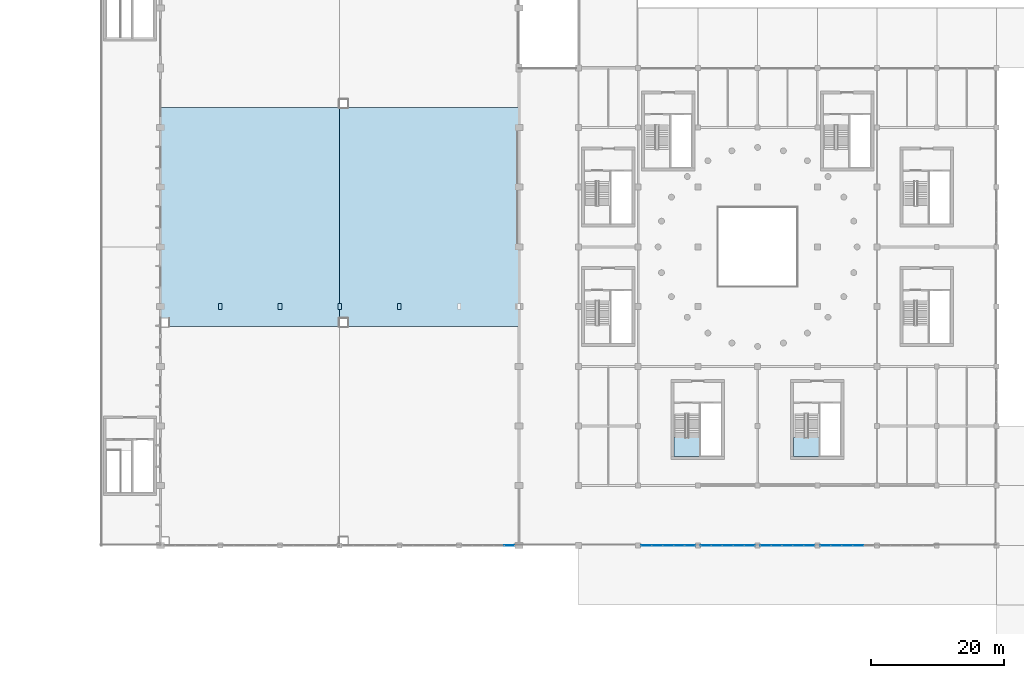
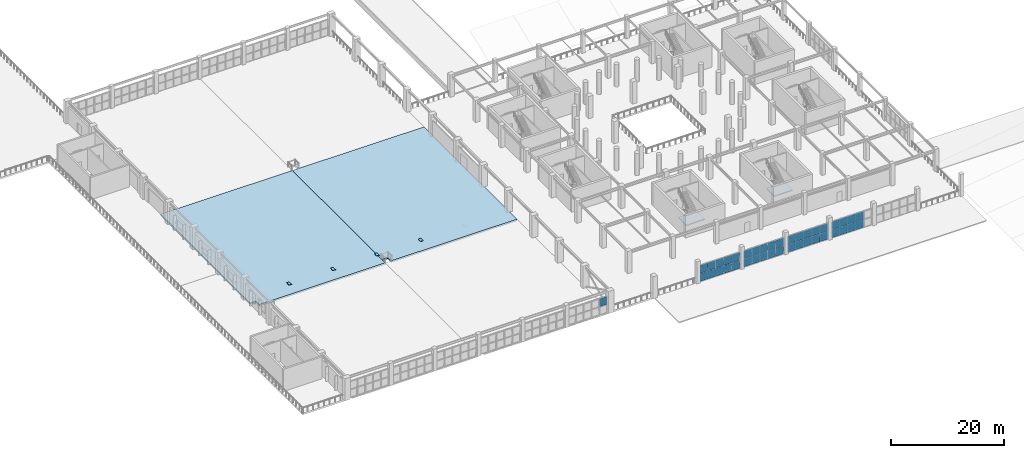
# One storey, part 52 of 89: 43 plates, 4 slabs, 7 elements without a shape of their own.
"""IFC4 building model written with IfcOpenShell, lengths in metres."""

from ifc_helpers import new_model, si_unit, direction, frame, origin, origin_2d, place, context, subcontext, project, spatial, polyline, rectangle, outline, extrude, material, layer, layer_set, type_object, element, aggregate, save


model = new_model("IFC4")

# Units and contexts
model_context = context("Model", 3, precision=1e-05, world=origin(), true_north=direction((0.0, 1.0)))
body_context = subcontext(model_context, "Body", "Model", "MODEL_VIEW")
ifc_project = project(units=[si_unit("LENGTHUNIT", "METRE"), si_unit("AREAUNIT", "SQUARE_METRE"), si_unit("VOLUMEUNIT", "CUBIC_METRE"), si_unit("PLANEANGLEUNIT", "RADIAN"), si_unit("MASSUNIT", "GRAM", prefix="KILO")], contexts=[model_context])

# Site, building, storey
site_placement = place(None, origin())
site = spatial("IfcSite", under=ifc_project, at=site_placement, CompositionType="ELEMENT")
building_placement = place(site_placement, origin())
building = spatial("IfcBuilding", under=site, at=building_placement, Name="Dornveld Trade and Exhibition Forum", CompositionType="ELEMENT")
storey_placement = place(building_placement, frame((0.0, 0.0, 12.0)))
storey = spatial("IfcBuildingStorey", under=building, at=storey_placement, Name="L02", CompositionType="ELEMENT", Elevation=12.0)

# Curtain wall, plates
ifc_material_1 = material(Name="Dark-bronze anodised aluminium and low-E glass", Category="aluminium")
ifc_layer_1 = layer(ifc_material_1, 0.180908203125)
ifc_layer_set_1 = layer_set([ifc_layer_1], Name="Dark-bronze anodised aluminium and low-E glass")
curtain_wall_type_1 = type_object("IfcCurtainWallType", Name="CW-SYS-13", PredefinedType="USERDEFINED", material=ifc_layer_set_1)
curtain_wall_1_placement = place(storey_placement, origin())
curtain_wall_1 = element("IfcCurtainWall", 1, at=curtain_wall_1_placement, inside=storey, type_object=curtain_wall_type_1, Name="L02 unitised curtain wall 49", ObjectType="UNITISED_CURTAIN_WALL", PredefinedType="USERDEFINED")
ifc_material_2 = material(Name="Double-glazed low-E solar control glass", Category="glass")
ifc_layer_2 = layer(ifc_material_2, 0.02587890625)
ifc_layer_set_2 = layer_set([ifc_layer_2], Name="Double-glazed low-E solar control glass")
plate_type_1 = type_object("IfcPlateType", Name="CW-PNL-01", PredefinedType="CURTAIN_PANEL", material=ifc_layer_set_2)
plate_1_placement = place(storey_placement, frame((109.2119140625, 36.0, 0.05615234375), z_axis=(0.0, 0.0, 1.0), x_axis=(1.0, 0.0, 0.0)))
plate_1 = element("IfcPlate", 2, at=plate_1_placement, type_object=plate_type_1, Name="CW-13 panel 1.1", PredefinedType="CURTAIN_PANEL", context=body_context, shape_type="SweptSolid", body=[
    extrude(rectangle(XDim=1.5615234375, YDim=0.02587890625, at=origin_2d()), origin(), (0.0, 0.0, 1.0), 1.701904296875),
])
plate_2_placement = place(storey_placement, frame((109.2119140625, 36.0, 1.81787109375), z_axis=(0.0, 0.0, 1.0), x_axis=(1.0, 0.0, 0.0)))
plate_2 = element("IfcPlate", 3, at=plate_2_placement, type_object=plate_type_1, Name="CW-13 panel 1.2", PredefinedType="CURTAIN_PANEL", context=body_context, shape_type="SweptSolid", body=[
    extrude(rectangle(XDim=1.5615234375, YDim=0.02587890625, at=origin_2d()), origin(), (0.0, 0.0, 1.0), 1.701904296875),
])
plate_3_placement = place(storey_placement, frame((110.848388671875, 36.0, 0.05615234375), z_axis=(0.0, 0.0, 1.0), x_axis=(1.0, 0.0, 0.0)))
plate_3 = element("IfcPlate", 4, at=plate_3_placement, type_object=plate_type_1, Name="CW-13 panel 2.1", PredefinedType="CURTAIN_PANEL", context=body_context, shape_type="SweptSolid", body=[
    extrude(rectangle(XDim=1.591552734375, YDim=0.02587890625, at=origin_2d()), origin(), (0.0, 0.0, 1.0), 1.701904296875),
])
plate_4_placement = place(storey_placement, frame((110.848388671875, 36.0, 1.81787109375), z_axis=(0.0, 0.0, 1.0), x_axis=(1.0, 0.0, 0.0)))
plate_4 = element("IfcPlate", 5, at=plate_4_placement, type_object=plate_type_1, Name="CW-13 panel 2.2", PredefinedType="CURTAIN_PANEL", context=body_context, shape_type="SweptSolid", body=[
    extrude(rectangle(XDim=1.591552734375, YDim=0.02587890625, at=origin_2d()), origin(), (0.0, 0.0, 1.0), 1.701904296875),
])
plate_5_placement = place(storey_placement, frame((112.5, 36.0, 0.05615234375), z_axis=(0.0, 0.0, 1.0), x_axis=(1.0, 0.0, 0.0)))
plate_5 = element("IfcPlate", 6, at=plate_5_placement, type_object=plate_type_1, Name="CW-13 panel 3.1", PredefinedType="CURTAIN_PANEL", context=body_context, shape_type="SweptSolid", body=[
    extrude(rectangle(XDim=1.591552734375, YDim=0.02587890625, at=origin_2d()), origin(), (0.0, 0.0, 1.0), 1.701904296875),
])
plate_6_placement = place(storey_placement, frame((112.5, 36.0, 1.81787109375), z_axis=(0.0, 0.0, 1.0), x_axis=(1.0, 0.0, 0.0)))
plate_6 = element("IfcPlate", 7, at=plate_6_placement, type_object=plate_type_1, Name="CW-13 panel 3.2", PredefinedType="CURTAIN_PANEL", context=body_context, shape_type="SweptSolid", body=[
    extrude(rectangle(XDim=1.591552734375, YDim=0.02587890625, at=origin_2d()), origin(), (0.0, 0.0, 1.0), 1.701904296875),
])
plate_7_placement = place(storey_placement, frame((114.151611328125, 36.0, 0.05615234375), z_axis=(0.0, 0.0, 1.0), x_axis=(1.0, 0.0, 0.0)))
plate_7 = element("IfcPlate", 8, at=plate_7_placement, type_object=plate_type_1, Name="CW-13 panel 4.1", PredefinedType="CURTAIN_PANEL", context=body_context, shape_type="SweptSolid", body=[
    extrude(rectangle(XDim=1.591552734375, YDim=0.02587890625, at=origin_2d()), origin(), (0.0, 0.0, 1.0), 1.701904296875),
])
plate_8_placement = place(storey_placement, frame((114.151611328125, 36.0, 1.81787109375), z_axis=(0.0, 0.0, 1.0), x_axis=(1.0, 0.0, 0.0)))
plate_8 = element("IfcPlate", 9, at=plate_8_placement, type_object=plate_type_1, Name="CW-13 panel 4.2", PredefinedType="CURTAIN_PANEL", context=body_context, shape_type="SweptSolid", body=[
    extrude(rectangle(XDim=1.591552734375, YDim=0.02587890625, at=origin_2d()), origin(), (0.0, 0.0, 1.0), 1.701904296875),
])
plate_9_placement = place(storey_placement, frame((115.7880859375, 36.0, 0.05615234375), z_axis=(0.0, 0.0, 1.0), x_axis=(1.0, 0.0, 0.0)))
plate_9 = element("IfcPlate", 10, at=plate_9_placement, type_object=plate_type_1, Name="CW-13 panel 5.1", PredefinedType="CURTAIN_PANEL", context=body_context, shape_type="SweptSolid", body=[
    extrude(rectangle(XDim=1.5615234375, YDim=0.02587890625, at=origin_2d()), origin(), (0.0, 0.0, 1.0), 1.701904296875),
])
plate_10_placement = place(storey_placement, frame((115.7880859375, 36.0, 1.81787109375), z_axis=(0.0, 0.0, 1.0), x_axis=(1.0, 0.0, 0.0)))
plate_10 = element("IfcPlate", 11, at=plate_10_placement, type_object=plate_type_1, Name="CW-13 panel 5.2", PredefinedType="CURTAIN_PANEL", context=body_context, shape_type="SweptSolid", body=[
    extrude(rectangle(XDim=1.5615234375, YDim=0.02587890625, at=origin_2d()), origin(), (0.0, 0.0, 1.0), 1.701904296875),
])
aggregate(curtain_wall_1, [plate_1, plate_2, plate_3, plate_4, plate_5, plate_6, plate_7, plate_8, plate_9, plate_10])

ifc_material_3 = material(Name="Dark-bronze anodised aluminium and low-E glass", Category="aluminium")
ifc_layer_3 = layer(ifc_material_3, 0.18408203125)
ifc_layer_set_3 = layer_set([ifc_layer_3], Name="Dark-bronze anodised aluminium and low-E glass")
curtain_wall_type_2 = type_object("IfcCurtainWallType", Name="CW-SYS-14", PredefinedType="USERDEFINED", material=ifc_layer_set_3)
curtain_wall_2_placement = place(storey_placement, origin())
curtain_wall_2 = element("IfcCurtainWall", 12, at=curtain_wall_2_placement, inside=storey, type_object=curtain_wall_type_2, Name="L02 unitised curtain wall 50", ObjectType="UNITISED_CURTAIN_WALL", PredefinedType="USERDEFINED")
ifc_material_4 = material(Name="Double-glazed low-E solar control glass", Category="glass")
ifc_layer_4 = layer(ifc_material_4, 0.028076171875)
ifc_layer_set_4 = layer_set([ifc_layer_4], Name="Double-glazed low-E solar control glass")
plate_type_2 = type_object("IfcPlateType", Name="CW-PNL-02", PredefinedType="CURTAIN_PANEL", material=ifc_layer_set_4)
plate_11_placement = place(storey_placement, frame((118.2119140625, 36.0, 0.05615234375), z_axis=(0.0, 0.0, 1.0), x_axis=(1.0, 0.0, 0.0)))
plate_11 = element("IfcPlate", 13, at=plate_11_placement, type_object=plate_type_2, Name="CW-14 panel 1.1", PredefinedType="CURTAIN_PANEL", context=body_context, shape_type="SweptSolid", body=[
    extrude(rectangle(XDim=1.5615234375, YDim=0.028076171875, at=origin_2d()), origin(), (0.0, 0.0, 1.0), 1.701904296875),
])
plate_12_placement = place(storey_placement, frame((118.2119140625, 36.0, 1.81787109375), z_axis=(0.0, 0.0, 1.0), x_axis=(1.0, 0.0, 0.0)))
plate_12 = element("IfcPlate", 14, at=plate_12_placement, type_object=plate_type_2, Name="CW-14 panel 1.2", PredefinedType="CURTAIN_PANEL", context=body_context, shape_type="SweptSolid", body=[
    extrude(rectangle(XDim=1.5615234375, YDim=0.028076171875, at=origin_2d()), origin(), (0.0, 0.0, 1.0), 1.701904296875),
])
plate_13_placement = place(storey_placement, frame((119.848388671875, 36.0, 0.05615234375), z_axis=(0.0, 0.0, 1.0), x_axis=(1.0, 0.0, 0.0)))
plate_13 = element("IfcPlate", 15, at=plate_13_placement, type_object=plate_type_2, Name="CW-14 panel 2.1", PredefinedType="CURTAIN_PANEL", context=body_context, shape_type="SweptSolid", body=[
    extrude(rectangle(XDim=1.591552734375, YDim=0.028076171875, at=origin_2d()), origin(), (0.0, 0.0, 1.0), 1.701904296875),
])
plate_14_placement = place(storey_placement, frame((119.848388671875, 36.0, 1.81787109375), z_axis=(0.0, 0.0, 1.0), x_axis=(1.0, 0.0, 0.0)))
plate_14 = element("IfcPlate", 16, at=plate_14_placement, type_object=plate_type_2, Name="CW-14 panel 2.2", PredefinedType="CURTAIN_PANEL", context=body_context, shape_type="SweptSolid", body=[
    extrude(rectangle(XDim=1.591552734375, YDim=0.028076171875, at=origin_2d()), origin(), (0.0, 0.0, 1.0), 1.701904296875),
])
plate_15_placement = place(storey_placement, frame((121.5, 36.0, 0.05615234375), z_axis=(0.0, 0.0, 1.0), x_axis=(1.0, 0.0, 0.0)))
plate_15 = element("IfcPlate", 17, at=plate_15_placement, type_object=plate_type_2, Name="CW-14 panel 3.1", PredefinedType="CURTAIN_PANEL", context=body_context, shape_type="SweptSolid", body=[
    extrude(rectangle(XDim=1.591552734375, YDim=0.028076171875, at=origin_2d()), origin(), (0.0, 0.0, 1.0), 1.701904296875),
])
plate_16_placement = place(storey_placement, frame((121.5, 36.0, 1.81787109375), z_axis=(0.0, 0.0, 1.0), x_axis=(1.0, 0.0, 0.0)))
plate_16 = element("IfcPlate", 18, at=plate_16_placement, type_object=plate_type_2, Name="CW-14 panel 3.2", PredefinedType="CURTAIN_PANEL", context=body_context, shape_type="SweptSolid", body=[
    extrude(rectangle(XDim=1.591552734375, YDim=0.028076171875, at=origin_2d()), origin(), (0.0, 0.0, 1.0), 1.701904296875),
])
plate_17_placement = place(storey_placement, frame((123.151611328125, 36.0, 0.05615234375), z_axis=(0.0, 0.0, 1.0), x_axis=(1.0, 0.0, 0.0)))
plate_17 = element("IfcPlate", 19, at=plate_17_placement, type_object=plate_type_2, Name="CW-14 panel 4.1", PredefinedType="CURTAIN_PANEL", context=body_context, shape_type="SweptSolid", body=[
    extrude(rectangle(XDim=1.591552734375, YDim=0.028076171875, at=origin_2d()), origin(), (0.0, 0.0, 1.0), 1.701904296875),
])
plate_18_placement = place(storey_placement, frame((123.151611328125, 36.0, 1.81787109375), z_axis=(0.0, 0.0, 1.0), x_axis=(1.0, 0.0, 0.0)))
plate_18 = element("IfcPlate", 20, at=plate_18_placement, type_object=plate_type_2, Name="CW-14 panel 4.2", PredefinedType="CURTAIN_PANEL", context=body_context, shape_type="SweptSolid", body=[
    extrude(rectangle(XDim=1.591552734375, YDim=0.028076171875, at=origin_2d()), origin(), (0.0, 0.0, 1.0), 1.701904296875),
])
plate_19_placement = place(storey_placement, frame((124.7880859375, 36.0, 0.05615234375), z_axis=(0.0, 0.0, 1.0), x_axis=(1.0, 0.0, 0.0)))
plate_19 = element("IfcPlate", 21, at=plate_19_placement, type_object=plate_type_2, Name="CW-14 panel 5.1", PredefinedType="CURTAIN_PANEL", context=body_context, shape_type="SweptSolid", body=[
    extrude(rectangle(XDim=1.5615234375, YDim=0.028076171875, at=origin_2d()), origin(), (0.0, 0.0, 1.0), 1.701904296875),
])
plate_20_placement = place(storey_placement, frame((124.7880859375, 36.0, 1.81787109375), z_axis=(0.0, 0.0, 1.0), x_axis=(1.0, 0.0, 0.0)))
plate_20 = element("IfcPlate", 22, at=plate_20_placement, type_object=plate_type_2, Name="CW-14 panel 5.2", PredefinedType="CURTAIN_PANEL", context=body_context, shape_type="SweptSolid", body=[
    extrude(rectangle(XDim=1.5615234375, YDim=0.028076171875, at=origin_2d()), origin(), (0.0, 0.0, 1.0), 1.701904296875),
])
aggregate(curtain_wall_2, [plate_11, plate_12, plate_13, plate_14, plate_15, plate_16, plate_17, plate_18, plate_19, plate_20])

ifc_material_5 = material(Name="Dark-bronze anodised aluminium and low-E glass", Category="aluminium")
ifc_layer_5 = layer(ifc_material_5, 0.18701171875)
ifc_layer_set_5 = layer_set([ifc_layer_5], Name="Dark-bronze anodised aluminium and low-E glass")
curtain_wall_type_3 = type_object("IfcCurtainWallType", Name="CW-SYS-15", PredefinedType="USERDEFINED", material=ifc_layer_set_5)
curtain_wall_3_placement = place(storey_placement, origin())
curtain_wall_3 = element("IfcCurtainWall", 23, at=curtain_wall_3_placement, inside=storey, type_object=curtain_wall_type_3, Name="L02 unitised curtain wall 51", ObjectType="UNITISED_CURTAIN_WALL", PredefinedType="USERDEFINED")
ifc_material_6 = material(Name="Double-glazed low-E solar control glass", Category="glass")
ifc_layer_6 = layer(ifc_material_6, 0.030029296875)
ifc_layer_set_6 = layer_set([ifc_layer_6], Name="Double-glazed low-E solar control glass")
plate_type_3 = type_object("IfcPlateType", Name="CW-PNL-03", PredefinedType="CURTAIN_PANEL", material=ifc_layer_set_6)
plate_21_placement = place(storey_placement, frame((127.2119140625, 36.0, 0.05615234375), z_axis=(0.0, 0.0, 1.0), x_axis=(1.0, 0.0, 0.0)))
plate_21 = element("IfcPlate", 24, at=plate_21_placement, type_object=plate_type_3, Name="CW-15 panel 1.1", PredefinedType="CURTAIN_PANEL", context=body_context, shape_type="SweptSolid", body=[
    extrude(rectangle(XDim=1.5615234375, YDim=0.030029296875, at=origin_2d()), origin(), (0.0, 0.0, 1.0), 1.701904296875),
])
plate_22_placement = place(storey_placement, frame((127.2119140625, 36.0, 1.81787109375), z_axis=(0.0, 0.0, 1.0), x_axis=(1.0, 0.0, 0.0)))
plate_22 = element("IfcPlate", 25, at=plate_22_placement, type_object=plate_type_3, Name="CW-15 panel 1.2", PredefinedType="CURTAIN_PANEL", context=body_context, shape_type="SweptSolid", body=[
    extrude(rectangle(XDim=1.5615234375, YDim=0.030029296875, at=origin_2d()), origin(), (0.0, 0.0, 1.0), 1.701904296875),
])
plate_23_placement = place(storey_placement, frame((128.848388671875, 36.0, 0.05615234375), z_axis=(0.0, 0.0, 1.0), x_axis=(1.0, 0.0, 0.0)))
plate_23 = element("IfcPlate", 26, at=plate_23_placement, type_object=plate_type_3, Name="CW-15 panel 2.1", PredefinedType="CURTAIN_PANEL", context=body_context, shape_type="SweptSolid", body=[
    extrude(rectangle(XDim=1.591552734375, YDim=0.030029296875, at=origin_2d()), origin(), (0.0, 0.0, 1.0), 1.701904296875),
])
plate_24_placement = place(storey_placement, frame((128.848388671875, 36.0, 1.81787109375), z_axis=(0.0, 0.0, 1.0), x_axis=(1.0, 0.0, 0.0)))
plate_24 = element("IfcPlate", 27, at=plate_24_placement, type_object=plate_type_3, Name="CW-15 panel 2.2", PredefinedType="CURTAIN_PANEL", context=body_context, shape_type="SweptSolid", body=[
    extrude(rectangle(XDim=1.591552734375, YDim=0.030029296875, at=origin_2d()), origin(), (0.0, 0.0, 1.0), 1.701904296875),
])
plate_25_placement = place(storey_placement, frame((130.5, 36.0, 0.05615234375), z_axis=(0.0, 0.0, 1.0), x_axis=(1.0, 0.0, 0.0)))
plate_25 = element("IfcPlate", 28, at=plate_25_placement, type_object=plate_type_3, Name="CW-15 panel 3.1", PredefinedType="CURTAIN_PANEL", context=body_context, shape_type="SweptSolid", body=[
    extrude(rectangle(XDim=1.591552734375, YDim=0.030029296875, at=origin_2d()), origin(), (0.0, 0.0, 1.0), 1.701904296875),
])
plate_26_placement = place(storey_placement, frame((130.5, 36.0, 1.81787109375), z_axis=(0.0, 0.0, 1.0), x_axis=(1.0, 0.0, 0.0)))
plate_26 = element("IfcPlate", 29, at=plate_26_placement, type_object=plate_type_3, Name="CW-15 panel 3.2", PredefinedType="CURTAIN_PANEL", context=body_context, shape_type="SweptSolid", body=[
    extrude(rectangle(XDim=1.591552734375, YDim=0.030029296875, at=origin_2d()), origin(), (0.0, 0.0, 1.0), 1.701904296875),
])
plate_27_placement = place(storey_placement, frame((132.151611328125, 36.0, 0.05615234375), z_axis=(0.0, 0.0, 1.0), x_axis=(1.0, 0.0, 0.0)))
plate_27 = element("IfcPlate", 30, at=plate_27_placement, type_object=plate_type_3, Name="CW-15 panel 4.1", PredefinedType="CURTAIN_PANEL", context=body_context, shape_type="SweptSolid", body=[
    extrude(rectangle(XDim=1.591552734375, YDim=0.030029296875, at=origin_2d()), origin(), (0.0, 0.0, 1.0), 1.701904296875),
])
plate_28_placement = place(storey_placement, frame((132.151611328125, 36.0, 1.81787109375), z_axis=(0.0, 0.0, 1.0), x_axis=(1.0, 0.0, 0.0)))
plate_28 = element("IfcPlate", 31, at=plate_28_placement, type_object=plate_type_3, Name="CW-15 panel 4.2", PredefinedType="CURTAIN_PANEL", context=body_context, shape_type="SweptSolid", body=[
    extrude(rectangle(XDim=1.591552734375, YDim=0.030029296875, at=origin_2d()), origin(), (0.0, 0.0, 1.0), 1.701904296875),
])
aggregate(curtain_wall_3, [plate_21, plate_22, plate_23, plate_24, plate_25, plate_26, plate_27, plate_28])

# Curtain wall, plate
ifc_material_7 = material(Name="Dark-bronze anodised aluminium and low-E glass", Category="aluminium")
ifc_layer_7 = layer(ifc_material_7, 0.175048828125)
ifc_layer_set_7 = layer_set([ifc_layer_7], Name="Dark-bronze anodised aluminium and low-E glass")
curtain_wall_type_4 = type_object("IfcCurtainWallType", Name="CW-SYS-11", PredefinedType="USERDEFINED", material=ifc_layer_set_7)
curtain_wall_4_placement = place(storey_placement, origin())
curtain_wall_4 = element("IfcCurtainWall", 32, at=curtain_wall_4_placement, inside=storey, type_object=curtain_wall_type_4, Name="L02 unitised curtain wall 29", ObjectType="UNITISED_CURTAIN_WALL", PredefinedType="USERDEFINED")
ifc_material_8 = material(Name="Double-glazed low-E solar control glass", Category="glass")
ifc_layer_8 = layer(ifc_material_8, 0.033935546875)
ifc_layer_set_8 = layer_set([ifc_layer_8], Name="Double-glazed low-E solar control glass")
plate_type_4 = type_object("IfcPlateType", Name="CW-PNL-05", PredefinedType="CURTAIN_PANEL", material=ifc_layer_set_8)
plate_29_placement = place(storey_placement, frame((79.585693359375, 36.0, 1.81787109375), z_axis=(0.0, 0.0, 1.0), x_axis=(1.0, 0.0, 0.0)))
plate_29 = element("IfcPlate", 33, at=plate_29_placement, type_object=plate_type_4, Name="CW-11 panel 5.2", PredefinedType="CURTAIN_PANEL", context=body_context, shape_type="SweptSolid", body=[
    extrude(rectangle(XDim=1.5166015625, YDim=0.033935546875, at=origin_2d()), origin(), (0.0, 0.0, 1.0), 1.701904296875),
])
aggregate(curtain_wall_4, [plate_29])

# Curtain wall, plates
ifc_material_9 = material(Name="Dark-bronze anodised aluminium and low-E glass", Category="aluminium")
ifc_layer_9 = layer(ifc_material_9, 0.177978515625)
ifc_layer_set_9 = layer_set([ifc_layer_9], Name="Dark-bronze anodised aluminium and low-E glass")
curtain_wall_type_5 = type_object("IfcCurtainWallType", Name="CW-SYS-12", PredefinedType="USERDEFINED", material=ifc_layer_set_9)
curtain_wall_5_placement = place(storey_placement, origin())
curtain_wall_5 = element("IfcCurtainWall", 34, at=curtain_wall_5_placement, inside=storey, type_object=curtain_wall_type_5, Name="L02 unitised curtain wall 48", ObjectType="UNITISED_CURTAIN_WALL", PredefinedType="USERDEFINED")
ifc_material_10 = material(Name="Double-glazed low-E solar control glass", Category="glass")
ifc_layer_10 = layer(ifc_material_10, 0.0400390625)
ifc_layer_set_10 = layer_set([ifc_layer_10], Name="Double-glazed low-E solar control glass")
plate_type_5 = type_object("IfcPlateType", Name="CW-PNL-08", PredefinedType="CURTAIN_PANEL", material=ifc_layer_set_10)
plate_30_placement = place(storey_placement, frame((100.2119140625, 36.0, 0.05615234375), z_axis=(0.0, 0.0, 1.0), x_axis=(1.0, 0.0, 0.0)))
plate_30 = element("IfcPlate", 35, at=plate_30_placement, type_object=plate_type_5, Name="CW-12 panel 1.1", PredefinedType="CURTAIN_PANEL", context=body_context, shape_type="SweptSolid", body=[
    extrude(rectangle(XDim=1.5615234375, YDim=0.0400390625, at=origin_2d()), origin(), (0.0, 0.0, 1.0), 1.701904296875),
])
plate_31_placement = place(storey_placement, frame((100.2119140625, 36.0, 1.81787109375), z_axis=(0.0, 0.0, 1.0), x_axis=(1.0, 0.0, 0.0)))
plate_31 = element("IfcPlate", 36, at=plate_31_placement, type_object=plate_type_5, Name="CW-12 panel 1.2", PredefinedType="CURTAIN_PANEL", context=body_context, shape_type="SweptSolid", body=[
    extrude(rectangle(XDim=1.5615234375, YDim=0.0400390625, at=origin_2d()), origin(), (0.0, 0.0, 1.0), 1.701904296875),
])
plate_32_placement = place(storey_placement, frame((101.848388671875, 36.0, 0.05615234375), z_axis=(0.0, 0.0, 1.0), x_axis=(1.0, 0.0, 0.0)))
plate_32 = element("IfcPlate", 37, at=plate_32_placement, type_object=plate_type_5, Name="CW-12 panel 2.1", PredefinedType="CURTAIN_PANEL", context=body_context, shape_type="SweptSolid", body=[
    extrude(rectangle(XDim=1.591552734375, YDim=0.0400390625, at=origin_2d()), origin(), (0.0, 0.0, 1.0), 1.701904296875),
])
plate_33_placement = place(storey_placement, frame((101.848388671875, 36.0, 1.81787109375), z_axis=(0.0, 0.0, 1.0), x_axis=(1.0, 0.0, 0.0)))
plate_33 = element("IfcPlate", 38, at=plate_33_placement, type_object=plate_type_5, Name="CW-12 panel 2.2", PredefinedType="CURTAIN_PANEL", context=body_context, shape_type="SweptSolid", body=[
    extrude(rectangle(XDim=1.591552734375, YDim=0.0400390625, at=origin_2d()), origin(), (0.0, 0.0, 1.0), 1.701904296875),
])
plate_34_placement = place(storey_placement, frame((103.5, 36.0, 0.05615234375), z_axis=(0.0, 0.0, 1.0), x_axis=(1.0, 0.0, 0.0)))
plate_34 = element("IfcPlate", 39, at=plate_34_placement, type_object=plate_type_5, Name="CW-12 panel 3.1", PredefinedType="CURTAIN_PANEL", context=body_context, shape_type="SweptSolid", body=[
    extrude(rectangle(XDim=1.591552734375, YDim=0.0400390625, at=origin_2d()), origin(), (0.0, 0.0, 1.0), 1.701904296875),
])
plate_35_placement = place(storey_placement, frame((103.5, 36.0, 1.81787109375), z_axis=(0.0, 0.0, 1.0), x_axis=(1.0, 0.0, 0.0)))
plate_35 = element("IfcPlate", 40, at=plate_35_placement, type_object=plate_type_5, Name="CW-12 panel 3.2", PredefinedType="CURTAIN_PANEL", context=body_context, shape_type="SweptSolid", body=[
    extrude(rectangle(XDim=1.591552734375, YDim=0.0400390625, at=origin_2d()), origin(), (0.0, 0.0, 1.0), 1.701904296875),
])
plate_36_placement = place(storey_placement, frame((105.151611328125, 36.0, 0.05615234375), z_axis=(0.0, 0.0, 1.0), x_axis=(1.0, 0.0, 0.0)))
plate_36 = element("IfcPlate", 41, at=plate_36_placement, type_object=plate_type_5, Name="CW-12 panel 4.1", PredefinedType="CURTAIN_PANEL", context=body_context, shape_type="SweptSolid", body=[
    extrude(rectangle(XDim=1.591552734375, YDim=0.0400390625, at=origin_2d()), origin(), (0.0, 0.0, 1.0), 1.701904296875),
])
plate_37_placement = place(storey_placement, frame((105.151611328125, 36.0, 1.81787109375), z_axis=(0.0, 0.0, 1.0), x_axis=(1.0, 0.0, 0.0)))
plate_37 = element("IfcPlate", 42, at=plate_37_placement, type_object=plate_type_5, Name="CW-12 panel 4.2", PredefinedType="CURTAIN_PANEL", context=body_context, shape_type="SweptSolid", body=[
    extrude(rectangle(XDim=1.591552734375, YDim=0.0400390625, at=origin_2d()), origin(), (0.0, 0.0, 1.0), 1.701904296875),
])
plate_38_placement = place(storey_placement, frame((106.7880859375, 36.0, 0.05615234375), z_axis=(0.0, 0.0, 1.0), x_axis=(1.0, 0.0, 0.0)))
plate_38 = element("IfcPlate", 43, at=plate_38_placement, type_object=plate_type_5, Name="CW-12 panel 5.1", PredefinedType="CURTAIN_PANEL", context=body_context, shape_type="SweptSolid", body=[
    extrude(rectangle(XDim=1.5615234375, YDim=0.0400390625, at=origin_2d()), origin(), (0.0, 0.0, 1.0), 1.701904296875),
])
plate_39_placement = place(storey_placement, frame((106.7880859375, 36.0, 1.81787109375), z_axis=(0.0, 0.0, 1.0), x_axis=(1.0, 0.0, 0.0)))
plate_39 = element("IfcPlate", 44, at=plate_39_placement, type_object=plate_type_5, Name="CW-12 panel 5.2", PredefinedType="CURTAIN_PANEL", context=body_context, shape_type="SweptSolid", body=[
    extrude(rectangle(XDim=1.5615234375, YDim=0.0400390625, at=origin_2d()), origin(), (0.0, 0.0, 1.0), 1.701904296875),
])
aggregate(curtain_wall_5, [plate_30, plate_31, plate_32, plate_33, plate_34, plate_35, plate_36, plate_37, plate_38, plate_39])

# Plates
ifc_material_11 = material(Name="Steel S355J2", Category="steel")
ifc_layer_11 = layer(ifc_material_11, 0.02392578125)
ifc_layer_set_11 = layer_set([ifc_layer_11], Name="Steel S355J2")
plate_type_6 = type_object("IfcPlateType", Name="PL-TRENCH-900", PredefinedType="SHEET", material=ifc_layer_set_11)
for number, where, z_axis, x_axis, name in (
    (45, (36.0, 72.0, -0.02392578125), (0.0, 0.0, 1.0), (0.0, 1.0, 0.0), "Hall 3 heavy utility trench cover 1"),
    (46, (45.0, 72.0, -0.02392578125), (0.0, 0.0, 1.0), (0.0, 1.0, 0.0), "Hall 3 heavy utility trench cover 2"),
    (47, (54.0, 72.0, -0.02392578125), (0.0, 0.0, 1.0), (0.0, 1.0, 0.0), "Hall 3 heavy utility trench cover 3"),
    (48, (63.0, 72.0, -0.02392578125), (0.0, 0.0, 1.0), (0.0, 1.0, 0.0), "Hall 3 heavy utility trench cover 4"),
):
    element("IfcPlate", number, at=place(storey_placement, frame(where, z_axis=z_axis, x_axis=x_axis)), inside=storey, type_object=plate_type_6, Name=name, PredefinedType="SHEET", context=body_context, shape_type="SweptSolid", body=[
        extrude(rectangle(XDim=0.89990234375, YDim=0.550048828125, at=origin_2d()), origin(), (0.0, 0.0, 1.0), 0.02392578125),
    ])

# Stair, slab
ifc_material_12 = material(Name="Concrete C40/50", Category="concrete")
stair_type_1 = type_object("IfcStairType", Name="ST-2RET-480A", PredefinedType="HALF_TURN_STAIR", material=ifc_material_12)
stair_1_placement = place(storey_placement, origin())
stair_1 = element("IfcStair", 49, at=stair_1_placement, inside=storey, type_object=stair_type_1, Name="CORE-07 escape stair L02 to L03", PredefinedType="HALF_TURN_STAIR")
ifc_material_13 = material(Name="Concrete C40/50", Category="concrete")
ifc_layer_12 = layer(ifc_material_13, 0.199951171875)
ifc_layer_set_12 = layer_set([ifc_layer_12], Name="Concrete C40/50")
slab_type_1 = type_object("IfcSlabType", Name="SL-LAND-200", PredefinedType="LANDING", material=ifc_layer_set_12)
slab_1_placement = place(storey_placement, frame((0.0, 0.0, 2.199951171875)))
slab_1 = element("IfcSlab", 50, at=slab_1_placement, type_object=slab_type_1, Name="ST-07-L02 landing 1", PredefinedType="LANDING", context=body_context, shape_type="SweptSolid", body=[
    extrude(outline(polyline([(122.425048828125, 49.425048828125), (126.219970703125, 49.425048828125), (126.219970703125, 52.235107421875), (122.425048828125, 52.235107421875), (122.425048828125, 49.425048828125)])), origin(), (0.0, 0.0, 1.0), 0.199951171875),
])
aggregate(stair_1, [slab_1])

ifc_material_14 = material(Name="Concrete C40/50", Category="concrete")
stair_type_2 = type_object("IfcStairType", Name="ST-2RET-480B", PredefinedType="HALF_TURN_STAIR", material=ifc_material_14)
stair_2_placement = place(storey_placement, origin())
stair_2 = element("IfcStair", 51, at=stair_2_placement, inside=storey, type_object=stair_type_2, Name="CORE-06 escape stair L02 to L03", PredefinedType="HALF_TURN_STAIR")
ifc_material_15 = material(Name="Concrete C40/50", Category="concrete")
ifc_layer_13 = layer(ifc_material_15, 0.219970703125)
ifc_layer_set_13 = layer_set([ifc_layer_13], Name="Concrete C40/50")
slab_type_2 = type_object("IfcSlabType", Name="SL-LAND-220", PredefinedType="LANDING", material=ifc_layer_set_13)
slab_2_placement = place(storey_placement, frame((0.0, 0.0, 2.179931640625)))
slab_2 = element("IfcSlab", 52, at=slab_2_placement, type_object=slab_type_2, Name="ST-06-L02 landing 1", PredefinedType="LANDING", context=body_context, shape_type="SweptSolid", body=[
    extrude(outline(polyline([(104.425048828125, 49.425048828125), (108.219970703125, 49.425048828125), (108.219970703125, 52.235107421875), (104.425048828125, 52.235107421875), (104.425048828125, 49.425048828125)])), origin(), (0.0, 0.0, 1.0), 0.219970703125),
])
aggregate(stair_2, [slab_2])

# Slabs
ifc_material_16 = material(Name="Precast concrete C50/60", Category="concrete")
ifc_layer_14 = layer(ifc_material_16, 0.360107421875)
ifc_layer_set_14 = layer_set([ifc_layer_14], Name="Precast concrete C50/60")
slab_type_3 = type_object("IfcSlabType", Name="SL-UPPER-360", PredefinedType="FLOOR", material=ifc_layer_set_14)
slab_3_placement = place(storey_placement, frame((0.0, 0.0, -0.360107421875)))
element("IfcSlab", 53, at=slab_3_placement, inside=storey, type_object=slab_type_3, Name="L02 structural slab panel 54", PredefinedType="FLOOR", context=body_context, shape_type="SweptSolid", body=[
    extrude(outline(polyline([(28.199951171875, 69.0), (54.0, 69.0), (54.0, 102.0), (27.0, 102.0), (27.0, 70.199951171875), (28.199951171875, 70.199951171875), (28.199951171875, 69.0)])), origin(), (0.0, 0.0, 1.0), 0.360107421875),
])
slab_4_placement = place(storey_placement, frame((0.0, 0.0, -0.360107421875)))
element("IfcSlab", 54, at=slab_4_placement, inside=storey, type_object=slab_type_3, Name="L02 structural slab panel 57", PredefinedType="FLOOR", context=body_context, shape_type="SweptSolid", body=[
    extrude(outline(polyline([(55.199951171875, 69.0), (81.0, 69.0), (81.0, 102.0), (54.0, 102.0), (54.0, 70.199951171875), (55.199951171875, 70.199951171875), (55.199951171875, 69.0)])), origin(), (0.0, 0.0, 1.0), 0.360107421875),
])

save(model, "model.ifc")
